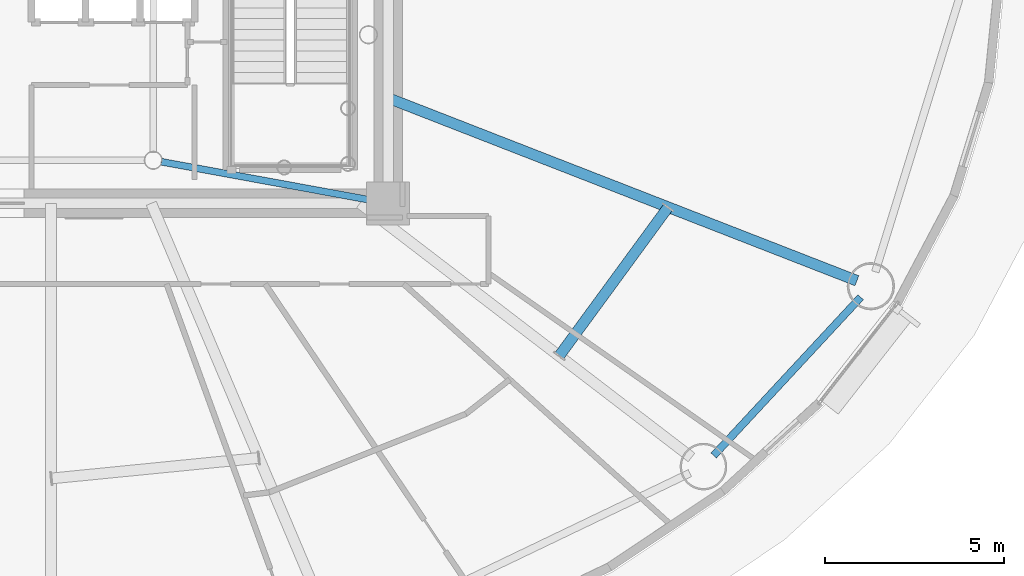
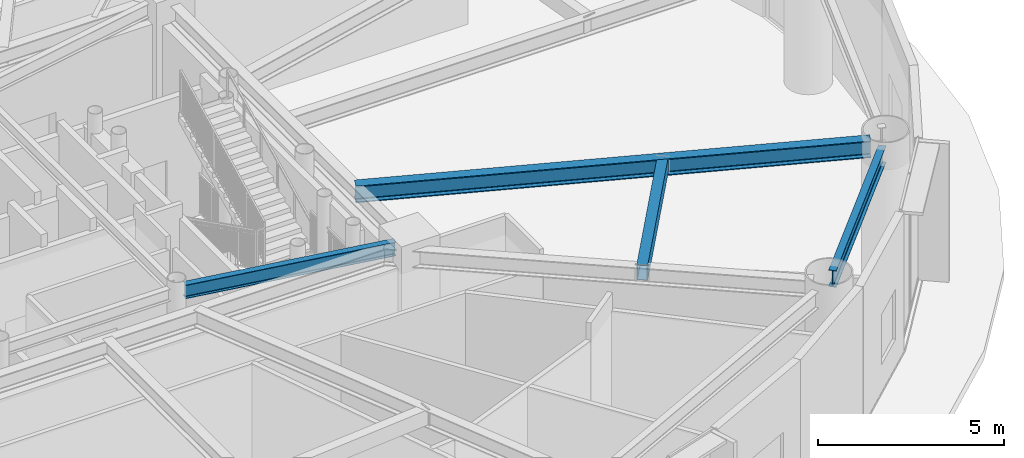
# One storey, part 13 of 38: 4 beams.
"""IFC4 building model written with IfcOpenShell, lengths in metres."""

from ifc_helpers import new_model, si_unit, direction, frame, origin, origin_2d, place, context, subcontext, project, spatial, hollow_rectangle, i_section, extrude, material, material_profile, profile_set, type_object, element, save


model = new_model("IFC4")

# Units and contexts
model_context = context("Model", 3, precision=1e-05, world=origin(), true_north=direction((0.0, 1.0)))
body_context = subcontext(model_context, "Body", "Model", "MODEL_VIEW")
ifc_project = project(units=[si_unit("LENGTHUNIT", "METRE"), si_unit("AREAUNIT", "SQUARE_METRE"), si_unit("VOLUMEUNIT", "CUBIC_METRE"), si_unit("PLANEANGLEUNIT", "RADIAN"), si_unit("MASSUNIT", "GRAM", prefix="KILO")], contexts=[model_context])

# Site, building, storey
site_placement = place(None, origin())
site = spatial("IfcSite", under=ifc_project, at=site_placement, CompositionType="ELEMENT")
building_placement = place(site_placement, origin())
building = spatial("IfcBuilding", under=site, at=building_placement, Name="Linh Dai School and Residence Tower", CompositionType="ELEMENT")
storey_placement = place(building_placement, frame((0.0, 0.0, 151.35009765625)))
storey = spatial("IfcBuildingStorey", under=building, at=storey_placement, Name="L36", CompositionType="ELEMENT", Elevation=151.35009765625)

# Beams
ifc_material = material(Name="Structural Steel S355JR", Category="steel")
ifc_material_profile_1 = material_profile(ifc_material, hollow_rectangle(XDim=0.300048828125, YDim=0.5, WallThickness=0.01611328125, at=origin_2d()), Name="RHS 500x300x16")
ifc_profile_set_1 = profile_set([ifc_material_profile_1], Name="Structural Steel S355JR")
beam_type_1 = type_object("IfcBeamType", Name="BM-BX5", PredefinedType="BEAM", material=ifc_profile_set_1)
beam_1_placement = place(storey_placement, frame((50.171875, 16.145751953125, 4.2998046875), z_axis=(0.59077809598, 0.806834085367, 0.0), x_axis=(-0.806834085367, 0.59077809598, 0.0)))
element("IfcBeam", 1, at=beam_1_placement, inside=storey, type_object=beam_type_1, Name="L36 Secondary Circumferential Floor Beam 08", PredefinedType="BEAM", context=body_context, shape_type="SweptSolid", body=[
    extrude(hollow_rectangle(XDim=0.300048828125, YDim=0.5, WallThickness=0.01611328125, at=origin_2d()), origin(), (0.0, 0.0, 1.0), 5.134765625),
])
ifc_material_profile_2 = material_profile(ifc_material, i_section(OverallWidth=0.2099609375, OverallDepth=0.550048828125, WebThickness=0.010986328125, FlangeThickness=0.01708984375, FilletRadius=0.02392578125, at=origin_2d()), Name="IPE 550")
ifc_profile_set_2 = profile_set([ifc_material_profile_2], Name="Structural Steel S355JR")
beam_type_2 = type_object("IfcBeamType", Name="BM-RB55", PredefinedType="BEAM", material=ifc_profile_set_2)
beam_2_placement = place(storey_placement, frame((54.478271484375, 13.3662109375, 4.27490234375), z_axis=(0.680378035197, 0.732861330145, 0.0), x_axis=(-0.732861330145, 0.680378035197, 0.0)))
element("IfcBeam", 2, at=beam_2_placement, inside=storey, type_object=beam_type_2, Name="L36 Perimeter Elliptical Ring Beam 15", PredefinedType="BEAM", context=body_context, shape_type="SweptSolid", body=[
    extrude(i_section(OverallWidth=0.2099609375, OverallDepth=0.550048828125, WebThickness=0.010986328125, FlangeThickness=0.01708984375, FilletRadius=0.02392578125, at=origin_2d()), origin(), (0.0, 0.0, 1.0), 6.024169921875),
])
ifc_material_profile_3 = material_profile(ifc_material, i_section(OverallWidth=0.300048828125, OverallDepth=0.550048828125, WebThickness=0.014892578125, FlangeThickness=0.029052734375, FilletRadius=0.027099609375, at=origin_2d()), Name="HEB 550")
ifc_profile_set_3 = profile_set([ifc_material_profile_3], Name="Structural Steel S355JR")
beam_type_3 = type_object("IfcBeamType", Name="BM-RG55", PredefinedType="BEAM", material=ifc_profile_set_3)
beam_3_placement = place(storey_placement, frame((45.39990234375, 23.336181640625, 4.27490234375), z_axis=(0.931722873254, -0.363170053081, 0.0), x_axis=(0.363170053081, 0.931722873254, 0.0)))
element("IfcBeam", 3, at=beam_3_placement, inside=storey, type_object=beam_type_3, Name="L36 Primary Radial Floor Girder 16", PredefinedType="BEAM", context=body_context, shape_type="SweptSolid", body=[
    extrude(i_section(OverallWidth=0.300048828125, OverallDepth=0.550048828125, WebThickness=0.014892578125, FlangeThickness=0.029052734375, FilletRadius=0.027099609375, at=origin_2d()), origin(), (0.0, 0.0, 1.0), 14.029052734375),
])
ifc_material_profile_4 = material_profile(ifc_material, i_section(OverallWidth=0.18994140625, OverallDepth=0.449951171875, WebThickness=0.009521484375, FlangeThickness=0.0146484375, FilletRadius=0.02099609375, at=origin_2d()), Name="IPE 450")
ifc_profile_set_4 = profile_set([ifc_material_profile_4], Name="Structural Steel S355JR")
beam_type_4 = type_object("IfcBeamType", Name="BM-SB45", PredefinedType="BEAM", material=ifc_profile_set_4)
beam_4_placement = place(storey_placement, frame((44.98681640625, 20.4755859375, 4.324951171875), z_axis=(-0.983627428732, 0.180213987933, 0.0), x_axis=(-0.180213987933, -0.983627428732, 0.0)))
element("IfcBeam", 4, at=beam_4_placement, inside=storey, type_object=beam_type_4, Name="L36 Core Corner-to-Mast Pier Beam 2", PredefinedType="BEAM", context=body_context, shape_type="SweptSolid", body=[
    extrude(i_section(OverallWidth=0.18994140625, OverallDepth=0.449951171875, WebThickness=0.009521484375, FlangeThickness=0.0146484375, FilletRadius=0.02099609375, at=origin_2d()), origin(), (0.0, 0.0, 1.0), 6.014892578125),
])

save(model, "model.ifc")
